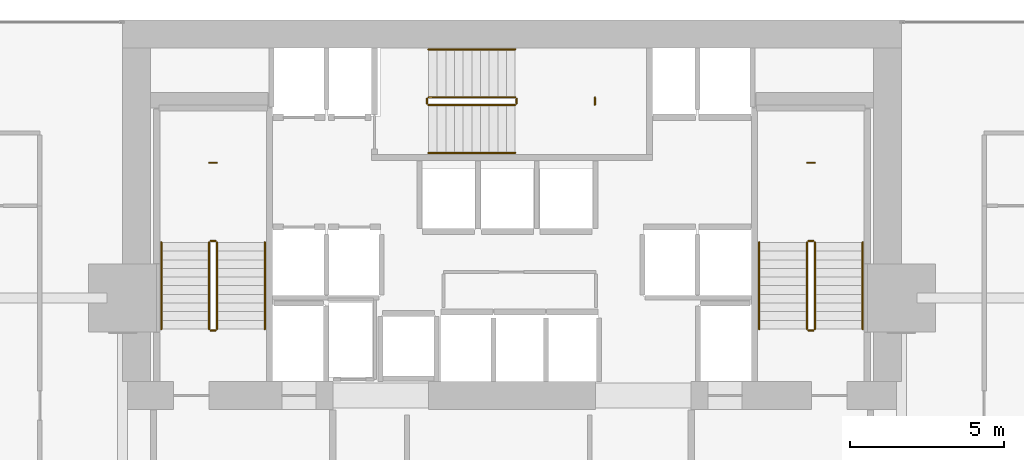
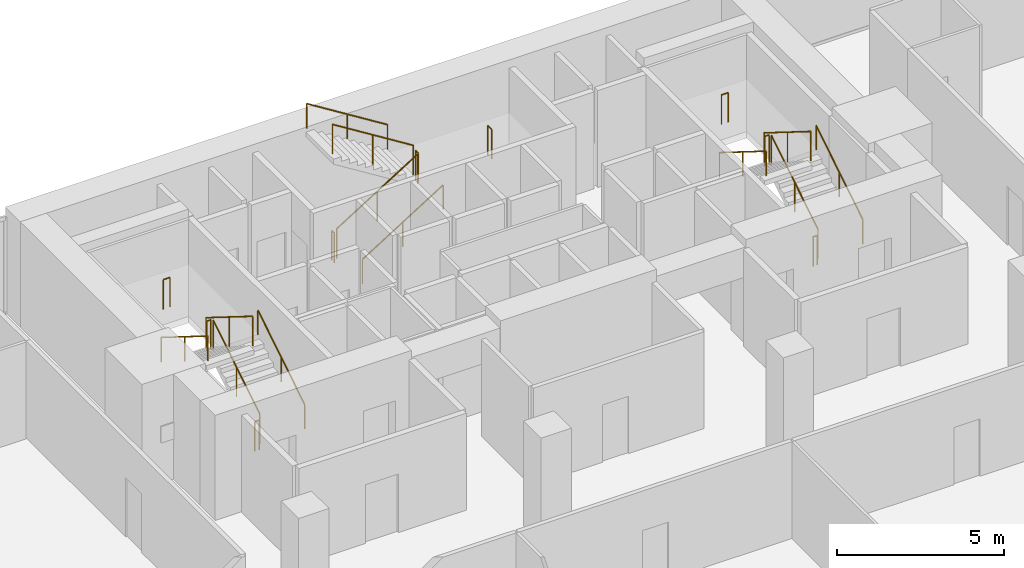
# One storey, part 39 of 39: 21 railings.
"""IFC4 building model written with IfcOpenShell, lengths in metres."""

import ifcopenshell
import ifcopenshell.guid

model = None  # the IFC model being written
_history = None  # IfcOwnerHistory: only IFC2X3 demands one
_inside = {}  # id of a spatial element -> (the spatial element, [elements in it])
_under = {}  # id of a project, library or spatial element -> (it, [spatial elements below it])
_declared = {}  # id of a project -> (the project, [libraries it declares])
_typed = {}  # id of a type object -> (the type object, [elements of that type])
_made_of = {}  # id of a material, layer set ... -> (it, [elements and type objects made of it])


def new_model(schema):
    """Start an empty IFC model of exactly this schema.

    Asked for "IFC4X3", IfcOpenShell would pick the latest addendum, in which some entities
    have other attributes; the version numbers below select the first issue.
    IFC2X3 requires an IfcOwnerHistory on every rooted entity: one is made here for all.
    """
    global model, _history
    if schema == "IFC4X3":
        model = ifcopenshell.file(schema_version=(4, 3, 0, 0))
    else:
        model = ifcopenshell.file(schema=schema)
    _inside.clear()
    _under.clear()
    _declared.clear()
    _typed.clear()
    _made_of.clear()
    _history = None
    if model.schema == "IFC2X3":
        org = make("IfcOrganization", Name="unknown")
        user = make(
            "IfcPersonAndOrganization",
            ThePerson=make("IfcPerson", FamilyName="unknown"),
            TheOrganization=org,
        )
        app = make(
            "IfcApplication",
            ApplicationDeveloper=org,
            Version="unknown",
            ApplicationFullName="unknown",
            ApplicationIdentifier="unknown",
        )
        _history = make(
            "IfcOwnerHistory",
            OwningUser=user,
            OwningApplication=app,
            ChangeAction="ADDED",
            CreationDate=0,
        )
    return model


def make(cls, **values):
    """One entity of the class cls with the attributes given. An attribute that is None is left unset."""
    return model.create_entity(
        cls, **{name: value for name, value in values.items() if value is not None}
    )


def rooted(cls, **values):
    """An entity with a GlobalId (a new one), such as an element, a storey or a relation."""
    return make(cls, GlobalId=ifcopenshell.guid.new(), OwnerHistory=_history, **values)


def si_unit(unit_type, name, prefix=None):
    """IfcSIUnit, for example si_unit("LENGTHUNIT", "METRE", prefix="MILLI")."""
    return make("IfcSIUnit", UnitType=unit_type, Prefix=prefix, Name=name)


def assignment(units):
    """IfcUnitAssignment: the units of a project."""
    return None if units is None else make("IfcUnitAssignment", Units=units)


def point(xyz):
    """IfcCartesianPoint."""
    return None if xyz is None else make("IfcCartesianPoint", Coordinates=xyz)


def direction(xyz):
    """IfcDirection."""
    return None if xyz is None else make("IfcDirection", DirectionRatios=xyz)


def frame(location, z_axis=None, x_axis=None):
    """IfcAxis2Placement3D, a coordinate frame: its origin and axes. An axis left out is left unset."""
    return make(
        "IfcAxis2Placement3D",
        Location=point(location),
        Axis=direction(z_axis),
        RefDirection=direction(x_axis),
    )


def frame_2d(location, x_axis=None):
    """IfcAxis2Placement2D, a coordinate frame in the plane: its origin and x axis."""
    return make(
        "IfcAxis2Placement2D", Location=point(location), RefDirection=direction(x_axis)
    )


def origin():
    """The frame at (0, 0, 0) with its axes left unset."""
    return frame((0.0, 0.0, 0.0))


def origin_2d():
    """The frame at (0, 0) in the plane with its x axis left unset."""
    return frame_2d((0.0, 0.0))


def place(relative_to, where):
    """IfcLocalPlacement: puts the frame where relative to a parent placement (None: the world)."""
    return make(
        "IfcLocalPlacement", PlacementRelTo=relative_to, RelativePlacement=where
    )


def context(
    kind, dimensions, precision=None, world=None, true_north=None, identifier=None
):
    """IfcGeometricRepresentationContext, for example the 3D "Model" context."""
    return make(
        "IfcGeometricRepresentationContext",
        ContextIdentifier=identifier,
        ContextType=kind,
        CoordinateSpaceDimension=dimensions,
        Precision=precision,
        WorldCoordinateSystem=world,
        TrueNorth=true_north,
    )


def subcontext(parent, identifier, kind, view, scale=None):
    """IfcGeometricRepresentationSubContext, for example "Body" below "Model"."""
    return make(
        "IfcGeometricRepresentationSubContext",
        ContextIdentifier=identifier,
        ContextType=kind,
        ParentContext=parent,
        TargetScale=scale,
        TargetView=view,
    )


def project(units=None, contexts=None):
    """IfcProject with its units and contexts."""
    return rooted(
        "IfcProject",
        Name="project",
        RepresentationContexts=contexts,
        UnitsInContext=assignment(units),
    )


def spatial(cls, under=None, at=None, **own):
    """A site, building, storey or space (cls), placed at a placement, below another one or the project."""
    s = rooted(cls, ObjectPlacement=at, **own)
    if under is not None:
        _under.setdefault(under.id(), (under, []))[1].append(s)
    return s


def profile(cls, at=None, kind="AREA", **sizes):
    """A parametric profile (cls). Its sizes go by their IFC names, for example OverallWidth=200.0."""
    return make(cls, ProfileType=kind, Position=at, **sizes)


def circle(**sizes):
    """IfcCircleProfileDef."""
    return profile("IfcCircleProfileDef", **sizes)


def extrude(swept, where, along, depth):
    """IfcExtrudedAreaSolid: the profile swept, set in the frame where, extruded along a direction by depth."""
    return make(
        "IfcExtrudedAreaSolid",
        SweptArea=swept,
        Position=where,
        ExtrudedDirection=direction(along),
        Depth=depth,
    )


def shape(context_of_items, identifier, shape_type, items):
    """IfcShapeRepresentation: the items that make up one representation, for example the "Body"."""
    return make(
        "IfcShapeRepresentation",
        ContextOfItems=context_of_items,
        RepresentationIdentifier=identifier,
        RepresentationType=shape_type,
        Items=items,
    )


def material(Name=None, Category=None):
    """IfcMaterial."""
    return make("IfcMaterial", Name=Name, Category=Category)


def made_of(thing, what):
    """Note that an element or type object is made of a material, layer set ...; save() writes the relation."""
    if what is not None:
        _made_of.setdefault(what.id(), (what, []))[1].append(thing)
    return thing


def type_object(cls, material=None, **own):
    """A type object (cls), such as IfcWallType, which elements share."""
    return made_of(rooted(cls, **own), material)


def element(
    cls,
    number,
    at=None,
    inside=None,
    cuts=None,
    type_object=None,
    material=None,
    context=None,
    identifier="Body",
    shape_type=None,
    held_by="IfcProductDefinitionShape",
    body=None,
    shapes=None,
    **own,
):
    """One element of the class cls, such as IfcWall. Its Tag is "e" and its number.

    at: its placement. inside: the storey or other place that contains it. cuts: it is an
    opening in that element (IfcRelVoidsElement). A single representation is given by context,
    identifier, shape_type and body (its items); several are given by shapes. held_by: the class
    of the entity that holds the representations. save() writes the other relations.
    """
    e = rooted(cls, Tag="e%d" % number, ObjectPlacement=at, **own)
    if body is not None:
        shapes = [shape(context, identifier, shape_type, body)]
    if shapes is not None:
        e.Representation = make(held_by, Representations=shapes)
    if inside is not None:
        _inside.setdefault(inside.id(), (inside, []))[1].append(e)
    if cuts is not None:
        rooted(
            "IfcRelVoidsElement", RelatingBuildingElement=cuts, RelatedOpeningElement=e
        )
    if type_object is not None:
        _typed.setdefault(type_object.id(), (type_object, []))[1].append(e)
    return made_of(e, material)


def aggregate(whole, parts):
    """IfcRelAggregates: a whole, such as a stair, and the parts it consists of."""
    return rooted("IfcRelAggregates", RelatingObject=whole, RelatedObjects=parts)


def save(model, path):
    """Write the relations noted so far, then the file.

    IfcRelAggregates (storeys below a building ...), IfcRelContainedInSpatialStructure (elements
    in a storey), IfcRelDefinesByType, IfcRelAssociatesMaterial and IfcRelDeclares: one each for
    every whole, place, type object, material and project.
    """
    for whole, parts in _under.values():
        aggregate(whole, parts)
    for where, things in _inside.values():
        rooted(
            "IfcRelContainedInSpatialStructure",
            RelatedElements=things,
            RelatingStructure=where,
        )
    for kind, things in _typed.values():
        rooted("IfcRelDefinesByType", RelatedObjects=things, RelatingType=kind)
    for what, things in _made_of.values():
        rooted("IfcRelAssociatesMaterial", RelatedObjects=things, RelatingMaterial=what)
    for by, libraries in _declared.values():
        rooted("IfcRelDeclares", RelatingContext=by, RelatedDefinitions=libraries)
    model.write(path)


model = new_model("IFC4")

# Units and contexts
model_context = context("Model", 3, precision=1e-05, world=origin(), true_north=direction((0.0, 1.0)))
body_context = subcontext(model_context, "Body", "Model", "MODEL_VIEW")
ifc_project = project(units=[si_unit("LENGTHUNIT", "METRE"), si_unit("AREAUNIT", "SQUARE_METRE"), si_unit("VOLUMEUNIT", "CUBIC_METRE"), si_unit("PLANEANGLEUNIT", "RADIAN"), si_unit("MASSUNIT", "GRAM", prefix="KILO")], contexts=[model_context])

# Site, building, storey
site_placement = place(None, origin())
site = spatial("IfcSite", under=ifc_project, at=site_placement, CompositionType="ELEMENT")
building_placement = place(site_placement, origin())
building = spatial("IfcBuilding", under=site, at=building_placement, Name="Maruvema Waterfront Hotel and Observation Tower", CompositionType="ELEMENT")
storey_placement = place(building_placement, frame((0.0, 0.0, 111.64990234375)))
storey = spatial("IfcBuildingStorey", under=building, at=storey_placement, Name="L27", CompositionType="ELEMENT", Elevation=111.64990234375)

# Railings
ifc_material_1 = material(Name="Brushed stainless steel Grade 316", Category="steel")
railing_type_1 = type_object("IfcRailingType", Name="Ramp Continuous Wall Handrail 920 mm", PredefinedType="HANDRAIL", material=ifc_material_1)
railing_1_placement = place(storey_placement, frame((29.800048828125, 44.0, 0.175048828125)))
element("IfcRailing", 1, at=railing_1_placement, inside=storey, type_object=railing_type_1, Name="L27 ST-01 stair handrail 1", PredefinedType="HANDRAIL", context=body_context, shape_type="SweptSolid", body=[
    extrude(circle(Radius=0.02392578125, at=origin_2d()), frame((0.0, 0.0, 0.89599609375), z_axis=(0.0, 0.848002457836, 0.529992293815), x_axis=(-1.0, 0.0, 0.0)), (0.0, 0.0, 1.0), 3.302001953125),
    extrude(circle(Radius=0.02099609375, at=origin_2d()), origin(), (0.0, 0.0, 1.0), 0.871826171875),
    extrude(circle(Radius=0.02099609375, at=origin_2d()), frame((0.0, 1.39990234375, 0.875)), (0.0, 0.0, 1.0), 0.871826171875),
    extrude(circle(Radius=0.02099609375, at=origin_2d()), frame((0.0, 2.800048828125, 1.75)), (0.0, 0.0, 1.0), 0.871826171875),
])
railing_2_placement = place(storey_placement, frame((26.449951171875, 46.800048828125, 2.10009765625)))
element("IfcRailing", 2, at=railing_2_placement, inside=storey, type_object=railing_type_1, Name="L27 ST-01 stair handrail 2", PredefinedType="HANDRAIL", context=body_context, shape_type="SweptSolid", body=[
    extrude(circle(Radius=0.02392578125, at=origin_2d()), frame((0.0, 0.0, 0.89599609375), z_axis=(0.0, -0.848002457836, 0.529992293815), x_axis=(1.0, 0.0, 0.0)), (0.0, 0.0, 1.0), 3.302001953125),
    extrude(circle(Radius=0.02099609375, at=origin_2d()), origin(), (0.0, 0.0, 1.0), 0.871826171875),
    extrude(circle(Radius=0.02099609375, at=origin_2d()), frame((0.0, -1.39990234375, 0.875)), (0.0, 0.0, 1.0), 0.871826171875),
    extrude(circle(Radius=0.02099609375, at=origin_2d()), frame((0.0, -2.800048828125, 1.75)), (0.0, 0.0, 1.0), 0.871826171875),
])
railing_3_placement = place(storey_placement, frame((35.10009765625, 49.699951171875, 0.175048828125)))
element("IfcRailing", 3, at=railing_3_placement, inside=storey, type_object=railing_type_1, Name="L27 ST-02 stair handrail 1", PredefinedType="HANDRAIL", context=body_context, shape_type="SweptSolid", body=[
    extrude(circle(Radius=0.02392578125, at=origin_2d()), frame((0.0, 0.0, 0.89599609375), z_axis=(0.847981687118, 0.0, 0.530025526095), x_axis=(0.0, 1.0, 0.0)), (0.0, 0.0, 1.0), 3.3017578125),
    extrude(circle(Radius=0.02099609375, at=origin_2d()), origin(), (0.0, 0.0, 1.0), 0.871826171875),
    extrude(circle(Radius=0.02099609375, at=origin_2d()), frame((1.39990234375, 0.0, 0.875)), (0.0, 0.0, 1.0), 0.871826171875),
    extrude(circle(Radius=0.02099609375, at=origin_2d()), frame((2.7998046875, 0.0, 1.75)), (0.0, 0.0, 1.0), 0.871826171875),
])
railing_4_placement = place(storey_placement, frame((37.89990234375, 53.050048828125, 2.10009765625)))
element("IfcRailing", 4, at=railing_4_placement, inside=storey, type_object=railing_type_1, Name="L27 ST-02 stair handrail 2", PredefinedType="HANDRAIL", context=body_context, shape_type="SweptSolid", body=[
    extrude(circle(Radius=0.02392578125, at=origin_2d()), frame((0.0, 0.0, 0.89599609375), z_axis=(-0.847981687118, 0.0, 0.530025526095), x_axis=(0.0, -1.0, 0.0)), (0.0, 0.0, 1.0), 3.3017578125),
    extrude(circle(Radius=0.02099609375, at=origin_2d()), origin(), (0.0, 0.0, 1.0), 0.871826171875),
    extrude(circle(Radius=0.02099609375, at=origin_2d()), frame((-1.39990234375, 0.0, 0.875)), (0.0, 0.0, 1.0), 0.871826171875),
    extrude(circle(Radius=0.02099609375, at=origin_2d()), frame((-2.7998046875, 0.0, 1.75)), (0.0, 0.0, 1.0), 0.871826171875),
])
railing_5_placement = place(storey_placement, frame((49.14990234375, 44.0, 0.175048828125)))
element("IfcRailing", 5, at=railing_5_placement, inside=storey, type_object=railing_type_1, Name="L27 ST-03 stair handrail 1", PredefinedType="HANDRAIL", context=body_context, shape_type="SweptSolid", body=[
    extrude(circle(Radius=0.02392578125, at=origin_2d()), frame((0.0, 0.0, 0.89599609375), z_axis=(0.0, 0.848002457836, 0.529992293815), x_axis=(-1.0, 0.0, 0.0)), (0.0, 0.0, 1.0), 3.302001953125),
    extrude(circle(Radius=0.02099609375, at=origin_2d()), origin(), (0.0, 0.0, 1.0), 0.871826171875),
    extrude(circle(Radius=0.02099609375, at=origin_2d()), frame((0.0, 1.39990234375, 0.875)), (0.0, 0.0, 1.0), 0.871826171875),
    extrude(circle(Radius=0.02099609375, at=origin_2d()), frame((0.0, 2.800048828125, 1.75)), (0.0, 0.0, 1.0), 0.871826171875),
])
railing_6_placement = place(storey_placement, frame((45.800048828125, 46.800048828125, 2.10009765625)))
element("IfcRailing", 6, at=railing_6_placement, inside=storey, type_object=railing_type_1, Name="L27 ST-03 stair handrail 2", PredefinedType="HANDRAIL", context=body_context, shape_type="SweptSolid", body=[
    extrude(circle(Radius=0.02392578125, at=origin_2d()), frame((0.0, 0.0, 0.89599609375), z_axis=(0.0, -0.848002457836, 0.529992293815), x_axis=(1.0, 0.0, 0.0)), (0.0, 0.0, 1.0), 3.302001953125),
    extrude(circle(Radius=0.02099609375, at=origin_2d()), origin(), (0.0, 0.0, 1.0), 0.871826171875),
    extrude(circle(Radius=0.02099609375, at=origin_2d()), frame((0.0, -1.39990234375, 0.875)), (0.0, 0.0, 1.0), 0.871826171875),
    extrude(circle(Radius=0.02099609375, at=origin_2d()), frame((0.0, -2.800048828125, 1.75)), (0.0, 0.0, 1.0), 0.871826171875),
])
ifc_material_2 = material(Name="Brushed stainless steel Grade 316", Category="steel")
railing_type_2 = type_object("IfcRailingType", Name="Ramp and Terrace Guard Balustrade 1100 mm", PredefinedType="BALUSTRADE", material=ifc_material_2)
railing_7_placement = place(storey_placement, frame((28.25, 44.0, 0.175048828125)))
element("IfcRailing", 7, at=railing_7_placement, inside=storey, type_object=railing_type_2, Name="L27 ST-01 stair guard 1", PredefinedType="BALUSTRADE", context=body_context, shape_type="SweptSolid", body=[
    extrude(circle(Radius=0.02392578125, at=origin_2d()), frame((0.0, 0.0, 1.076171875), z_axis=(0.0, 0.848002457836, 0.529992293815), x_axis=(-1.0, 0.0, 0.0)), (0.0, 0.0, 1.0), 3.302001953125),
    extrude(circle(Radius=0.02099609375, at=origin_2d()), origin(), (0.0, 0.0, 1.0), 1.052001953125),
    extrude(circle(Radius=0.02099609375, at=origin_2d()), frame((0.0, 1.39990234375, 0.875)), (0.0, 0.0, 1.0), 1.052001953125),
    extrude(circle(Radius=0.02099609375, at=origin_2d()), frame((0.0, 2.800048828125, 1.75)), (0.0, 0.0, 1.0), 1.052001953125),
])
railing_8_placement = place(storey_placement, frame((28.199951171875, 46.85009765625, 1.925048828125)))
element("IfcRailing", 8, at=railing_8_placement, inside=storey, type_object=railing_type_2, Name="L27 ST-01 stair guard 2", PredefinedType="BALUSTRADE", context=body_context, shape_type="SweptSolid", body=[
    extrude(circle(Radius=0.02392578125, at=origin_2d()), frame((0.0, 0.0, 1.076171875), z_axis=(-1.0, 0.0, 0.0), x_axis=(0.0, -1.0, 0.0)), (0.0, 0.0, 1.0), 0.14990234375),
    extrude(circle(Radius=0.02099609375, at=origin_2d()), origin(), (0.0, 0.0, 1.0), 1.052001953125),
    extrude(circle(Radius=0.02099609375, at=origin_2d()), frame((-0.14990234375, 0.0, 0.0)), (0.0, 0.0, 1.0), 1.052001953125),
])
railing_9_placement = place(storey_placement, frame((28.0, 46.800048828125, 2.10009765625)))
element("IfcRailing", 9, at=railing_9_placement, inside=storey, type_object=railing_type_2, Name="L27 ST-01 stair guard 3", PredefinedType="BALUSTRADE", context=body_context, shape_type="SweptSolid", body=[
    extrude(circle(Radius=0.02392578125, at=origin_2d()), frame((0.0, 0.0, 1.076171875), z_axis=(0.0, -0.848002457836, 0.529992293815), x_axis=(1.0, 0.0, 0.0)), (0.0, 0.0, 1.0), 3.302001953125),
    extrude(circle(Radius=0.02099609375, at=origin_2d()), origin(), (0.0, 0.0, 1.0), 1.052001953125),
    extrude(circle(Radius=0.02099609375, at=origin_2d()), frame((0.0, -1.39990234375, 0.875)), (0.0, 0.0, 1.0), 1.052001953125),
    extrude(circle(Radius=0.02099609375, at=origin_2d()), frame((0.0, -2.800048828125, 1.75)), (0.0, 0.0, 1.0), 1.052001953125),
])
railing_10_placement = place(storey_placement, frame((28.199951171875, 43.949951171875, 0.0)))
element("IfcRailing", 10, at=railing_10_placement, inside=storey, type_object=railing_type_2, Name="L27 ST-01 stair guard 4", PredefinedType="BALUSTRADE", context=body_context, shape_type="SweptSolid", body=[
    extrude(circle(Radius=0.02392578125, at=origin_2d()), frame((0.0, 0.0, 1.076171875), z_axis=(-1.0, 0.0, 0.0), x_axis=(0.0, -1.0, 0.0)), (0.0, 0.0, 1.0), 0.14990234375),
    extrude(circle(Radius=0.02099609375, at=origin_2d()), origin(), (0.0, 0.0, 1.0), 1.052001953125),
    extrude(circle(Radius=0.02099609375, at=origin_2d()), frame((-0.14990234375, 0.0, 0.0)), (0.0, 0.0, 1.0), 1.052001953125),
])
railing_11_placement = place(storey_placement, frame((28.239990234375, 49.3798828125, 1.925048828125)))
element("IfcRailing", 11, at=railing_11_placement, inside=storey, type_object=railing_type_2, Name="L27 ST-01 Half-Landing Slot Guard", PredefinedType="BALUSTRADE", context=body_context, shape_type="SweptSolid", body=[
    extrude(circle(Radius=0.02392578125, at=origin_2d()), frame((0.0, 0.0, 1.076171875), z_axis=(-1.0, 0.0, 0.0), x_axis=(0.0, -1.0, 0.0)), (0.0, 0.0, 1.0), 0.22998046875),
    extrude(circle(Radius=0.02099609375, at=origin_2d()), origin(), (0.0, 0.0, 1.0), 1.052001953125),
    extrude(circle(Radius=0.02099609375, at=origin_2d()), frame((-0.22998046875, 0.0, 0.0)), (0.0, 0.0, 1.0), 1.052001953125),
])
railing_12_placement = place(storey_placement, frame((35.10009765625, 51.25, 0.175048828125)))
element("IfcRailing", 12, at=railing_12_placement, inside=storey, type_object=railing_type_2, Name="L27 ST-02 stair guard 1", PredefinedType="BALUSTRADE", context=body_context, shape_type="SweptSolid", body=[
    extrude(circle(Radius=0.02392578125, at=origin_2d()), frame((0.0, 0.0, 1.076171875), z_axis=(0.847981687118, 0.0, 0.530025526095), x_axis=(0.0, 1.0, 0.0)), (0.0, 0.0, 1.0), 3.3017578125),
    extrude(circle(Radius=0.02099609375, at=origin_2d()), origin(), (0.0, 0.0, 1.0), 1.052001953125),
    extrude(circle(Radius=0.02099609375, at=origin_2d()), frame((1.39990234375, 0.0, 0.875)), (0.0, 0.0, 1.0), 1.052001953125),
    extrude(circle(Radius=0.02099609375, at=origin_2d()), frame((2.7998046875, 0.0, 1.75)), (0.0, 0.0, 1.0), 1.052001953125),
])
railing_13_placement = place(storey_placement, frame((37.949951171875, 51.300048828125, 1.925048828125)))
element("IfcRailing", 13, at=railing_13_placement, inside=storey, type_object=railing_type_2, Name="L27 ST-02 stair guard 2", PredefinedType="BALUSTRADE", context=body_context, shape_type="SweptSolid", body=[
    extrude(circle(Radius=0.02392578125, at=origin_2d()), frame((0.0, 0.0, 1.076171875), z_axis=(0.0, 1.0, 0.0), x_axis=(-1.0, 0.0, 0.0)), (0.0, 0.0, 1.0), 0.14990234375),
    extrude(circle(Radius=0.02099609375, at=origin_2d()), origin(), (0.0, 0.0, 1.0), 1.052001953125),
    extrude(circle(Radius=0.02099609375, at=origin_2d()), frame((0.0, 0.14990234375, 0.0)), (0.0, 0.0, 1.0), 1.052001953125),
])
railing_14_placement = place(storey_placement, frame((37.89990234375, 51.5, 2.10009765625)))
element("IfcRailing", 14, at=railing_14_placement, inside=storey, type_object=railing_type_2, Name="L27 ST-02 stair guard 3", PredefinedType="BALUSTRADE", context=body_context, shape_type="SweptSolid", body=[
    extrude(circle(Radius=0.02392578125, at=origin_2d()), frame((0.0, 0.0, 1.076171875), z_axis=(-0.847981687118, 0.0, 0.530025526095), x_axis=(0.0, -1.0, 0.0)), (0.0, 0.0, 1.0), 3.3017578125),
    extrude(circle(Radius=0.02099609375, at=origin_2d()), origin(), (0.0, 0.0, 1.0), 1.052001953125),
    extrude(circle(Radius=0.02099609375, at=origin_2d()), frame((-1.39990234375, 0.0, 0.875)), (0.0, 0.0, 1.0), 1.052001953125),
    extrude(circle(Radius=0.02099609375, at=origin_2d()), frame((-2.7998046875, 0.0, 1.75)), (0.0, 0.0, 1.0), 1.052001953125),
])
railing_15_placement = place(storey_placement, frame((35.050048828125, 51.300048828125, 0.0)))
element("IfcRailing", 15, at=railing_15_placement, inside=storey, type_object=railing_type_2, Name="L27 ST-02 stair guard 4", PredefinedType="BALUSTRADE", context=body_context, shape_type="SweptSolid", body=[
    extrude(circle(Radius=0.02392578125, at=origin_2d()), frame((0.0, 0.0, 1.076171875), z_axis=(0.0, 1.0, 0.0), x_axis=(-1.0, 0.0, 0.0)), (0.0, 0.0, 1.0), 0.14990234375),
    extrude(circle(Radius=0.02099609375, at=origin_2d()), origin(), (0.0, 0.0, 1.0), 1.052001953125),
    extrude(circle(Radius=0.02099609375, at=origin_2d()), frame((0.0, 0.14990234375, 0.0)), (0.0, 0.0, 1.0), 1.052001953125),
])
railing_16_placement = place(storey_placement, frame((40.47998046875, 51.260009765625, 1.925048828125)))
element("IfcRailing", 16, at=railing_16_placement, inside=storey, type_object=railing_type_2, Name="L27 ST-02 Half-Landing Slot Guard", PredefinedType="BALUSTRADE", context=body_context, shape_type="SweptSolid", body=[
    extrude(circle(Radius=0.02392578125, at=origin_2d()), frame((0.0, 0.0, 1.076171875), z_axis=(0.0, 1.0, 0.0), x_axis=(-1.0, 0.0, 0.0)), (0.0, 0.0, 1.0), 0.22998046875),
    extrude(circle(Radius=0.02099609375, at=origin_2d()), origin(), (0.0, 0.0, 1.0), 1.052001953125),
    extrude(circle(Radius=0.02099609375, at=origin_2d()), frame((0.0, 0.22998046875, 0.0)), (0.0, 0.0, 1.0), 1.052001953125),
])
railing_17_placement = place(storey_placement, frame((47.60009765625, 44.0, 0.175048828125)))
element("IfcRailing", 17, at=railing_17_placement, inside=storey, type_object=railing_type_2, Name="L27 ST-03 stair guard 1", PredefinedType="BALUSTRADE", context=body_context, shape_type="SweptSolid", body=[
    extrude(circle(Radius=0.02392578125, at=origin_2d()), frame((0.0, 0.0, 1.076171875), z_axis=(0.0, 0.848002457836, 0.529992293815), x_axis=(-1.0, 0.0, 0.0)), (0.0, 0.0, 1.0), 3.302001953125),
    extrude(circle(Radius=0.02099609375, at=origin_2d()), origin(), (0.0, 0.0, 1.0), 1.052001953125),
    extrude(circle(Radius=0.02099609375, at=origin_2d()), frame((0.0, 1.39990234375, 0.875)), (0.0, 0.0, 1.0), 1.052001953125),
    extrude(circle(Radius=0.02099609375, at=origin_2d()), frame((0.0, 2.800048828125, 1.75)), (0.0, 0.0, 1.0), 1.052001953125),
])
railing_18_placement = place(storey_placement, frame((47.550048828125, 46.85009765625, 1.925048828125)))
element("IfcRailing", 18, at=railing_18_placement, inside=storey, type_object=railing_type_2, Name="L27 ST-03 stair guard 2", PredefinedType="BALUSTRADE", context=body_context, shape_type="SweptSolid", body=[
    extrude(circle(Radius=0.02392578125, at=origin_2d()), frame((0.0, 0.0, 1.076171875), z_axis=(-1.0, 0.0, 0.0), x_axis=(0.0, -1.0, 0.0)), (0.0, 0.0, 1.0), 0.150146484375),
    extrude(circle(Radius=0.02099609375, at=origin_2d()), origin(), (0.0, 0.0, 1.0), 1.052001953125),
    extrude(circle(Radius=0.02099609375, at=origin_2d()), frame((-0.150146484375, 0.0, 0.0)), (0.0, 0.0, 1.0), 1.052001953125),
])
railing_19_placement = place(storey_placement, frame((47.35009765625, 46.800048828125, 2.10009765625)))
element("IfcRailing", 19, at=railing_19_placement, inside=storey, type_object=railing_type_2, Name="L27 ST-03 stair guard 3", PredefinedType="BALUSTRADE", context=body_context, shape_type="SweptSolid", body=[
    extrude(circle(Radius=0.02392578125, at=origin_2d()), frame((0.0, 0.0, 1.076171875), z_axis=(0.0, -0.848002457836, 0.529992293815), x_axis=(1.0, 0.0, 0.0)), (0.0, 0.0, 1.0), 3.302001953125),
    extrude(circle(Radius=0.02099609375, at=origin_2d()), origin(), (0.0, 0.0, 1.0), 1.052001953125),
    extrude(circle(Radius=0.02099609375, at=origin_2d()), frame((0.0, -1.39990234375, 0.875)), (0.0, 0.0, 1.0), 1.052001953125),
    extrude(circle(Radius=0.02099609375, at=origin_2d()), frame((0.0, -2.800048828125, 1.75)), (0.0, 0.0, 1.0), 1.052001953125),
])
railing_20_placement = place(storey_placement, frame((47.550048828125, 43.949951171875, 0.0)))
element("IfcRailing", 20, at=railing_20_placement, inside=storey, type_object=railing_type_2, Name="L27 ST-03 stair guard 4", PredefinedType="BALUSTRADE", context=body_context, shape_type="SweptSolid", body=[
    extrude(circle(Radius=0.02392578125, at=origin_2d()), frame((0.0, 0.0, 1.076171875), z_axis=(-1.0, 0.0, 0.0), x_axis=(0.0, -1.0, 0.0)), (0.0, 0.0, 1.0), 0.150146484375),
    extrude(circle(Radius=0.02099609375, at=origin_2d()), origin(), (0.0, 0.0, 1.0), 1.052001953125),
    extrude(circle(Radius=0.02099609375, at=origin_2d()), frame((-0.150146484375, 0.0, 0.0)), (0.0, 0.0, 1.0), 1.052001953125),
])
railing_21_placement = place(storey_placement, frame((47.590087890625, 49.3798828125, 1.925048828125)))
element("IfcRailing", 21, at=railing_21_placement, inside=storey, type_object=railing_type_2, Name="L27 ST-03 Half-Landing Slot Guard", PredefinedType="BALUSTRADE", context=body_context, shape_type="SweptSolid", body=[
    extrude(circle(Radius=0.02392578125, at=origin_2d()), frame((0.0, 0.0, 1.076171875), z_axis=(-1.0, 0.0, 0.0), x_axis=(0.0, -1.0, 0.0)), (0.0, 0.0, 1.0), 0.22998046875),
    extrude(circle(Radius=0.02099609375, at=origin_2d()), origin(), (0.0, 0.0, 1.0), 1.052001953125),
    extrude(circle(Radius=0.02099609375, at=origin_2d()), frame((-0.22998046875, 0.0, 0.0)), (0.0, 0.0, 1.0), 1.052001953125),
])

save(model, "model.ifc")
